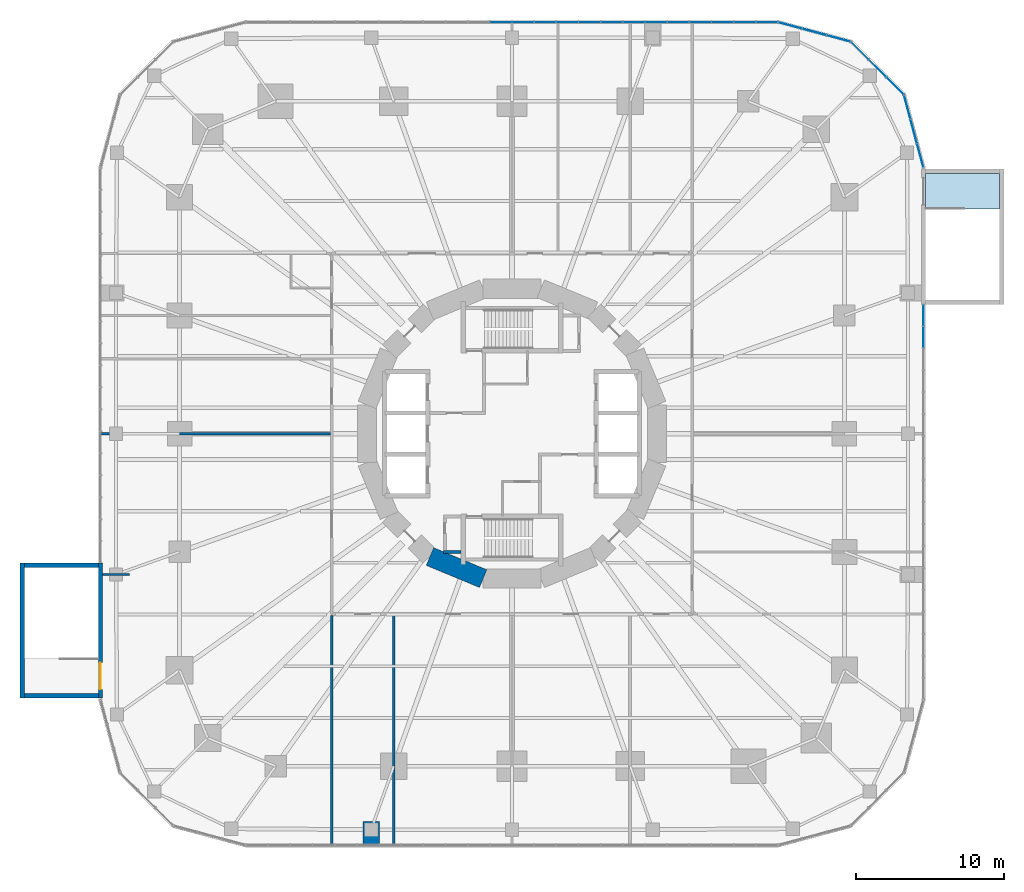
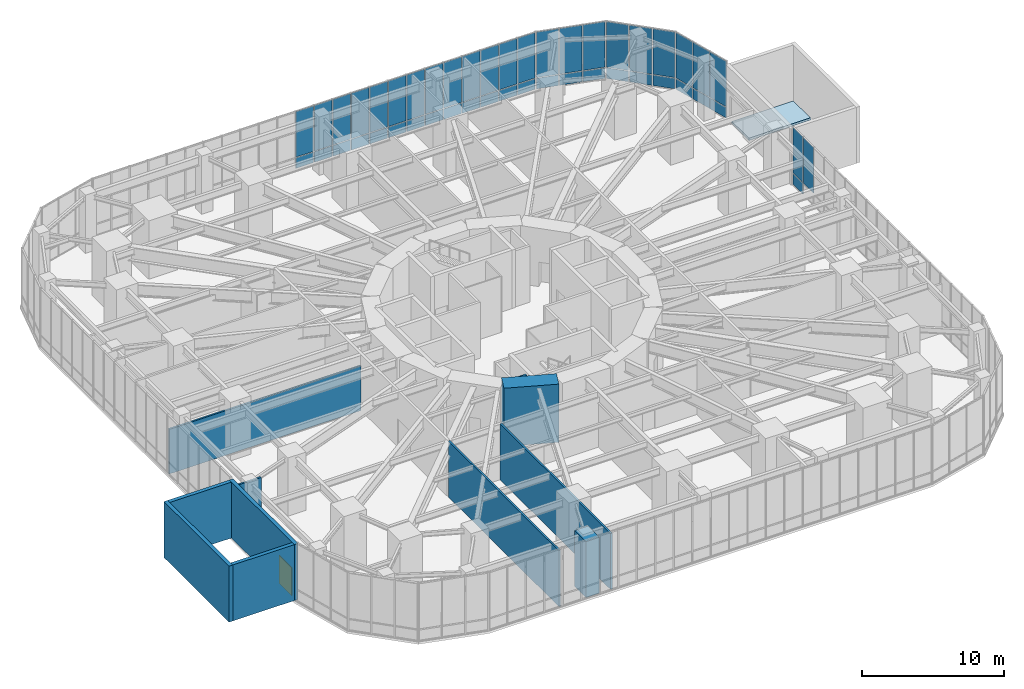
# One storey, part 20 of 24: 47 plates, 11 walls, 1 door, 1 slab, 1 opening, 5 elements without a shape of their own.
"""IFC4 building model written with IfcOpenShell, lengths in metres."""

from ifc_helpers import new_model, si_unit, direction, frame, frame_2d, origin, origin_2d, place, context, subcontext, project, spatial, polyline, rectangle, outline, extrude, material, layer, layer_set, type_object, element, fill, aggregate, save


model = new_model("IFC4")

# Units and contexts
model_context = context("Model", 3, precision=1e-05, world=origin(), true_north=direction((0.0, 1.0)))
body_context = subcontext(model_context, "Body", "Model", "MODEL_VIEW")
ifc_project = project(units=[si_unit("LENGTHUNIT", "METRE"), si_unit("AREAUNIT", "SQUARE_METRE"), si_unit("VOLUMEUNIT", "CUBIC_METRE"), si_unit("PLANEANGLEUNIT", "RADIAN"), si_unit("MASSUNIT", "GRAM", prefix="KILO")], contexts=[model_context])

# Site, building, storey
site_placement = place(None, origin())
site = spatial("IfcSite", under=ifc_project, at=site_placement, CompositionType="ELEMENT")
building_placement = place(site_placement, origin())
building = spatial("IfcBuilding", under=site, at=building_placement, Name="Nakasero Lantern House", CompositionType="ELEMENT")
storey_placement = place(building_placement, frame((0.0, 0.0, 11.0)))
storey = spatial("IfcBuildingStorey", under=building, at=storey_placement, Name="L02", CompositionType="ELEMENT", Elevation=11.0)

# Curtain wall, plates
ifc_material_1 = material(Name="Aluminium 6063-T6 and glass", Category="aluminium")
curtain_wall_type = type_object("IfcCurtainWallType", Name="Podium curtain wall CW-2", PredefinedType="USERDEFINED", material=ifc_material_1)
curtain_wall_1_placement = place(storey_placement, origin())
curtain_wall_1 = element("IfcCurtainWall", 1, at=curtain_wall_1_placement, inside=storey, type_object=curtain_wall_type, Name="Curtain wall CW-2 L02", ObjectType="STICK CURTAIN WALL", PredefinedType="USERDEFINED")
ifc_material_2 = material(Name="Glass", Category="glass")
ifc_layer_1 = layer(ifc_material_2, 0.028076171875)
ifc_layer_set_1 = layer_set([ifc_layer_1], Name="Glazed panel CW-2")
plate_type = type_object("IfcPlateType", Name="Glazed panel CW-2", PredefinedType="CURTAIN_PANEL", material=ifc_layer_set_1)
plate_1_placement = place(storey_placement, frame((27.85009765625, 6.520751953125, 1.0302734375), z_axis=(0.0, 0.0, 1.0), x_axis=(0.0, 1.0, 0.0)))
plate_1 = element("IfcPlate", 2, at=plate_1_placement, type_object=plate_type, Name="CW-2 panel 17.2", PredefinedType="CURTAIN_PANEL", context=body_context, shape_type="SweptSolid", body=[
    extrude(rectangle(XDim=1.426025390625, YDim=0.028076171875, at=origin_2d()), origin(), (0.0, 0.0, 1.0), 3.909912109375),
])
plate_2_placement = place(storey_placement, frame((27.85009765625, 7.991943359375, 0.06005859375), z_axis=(0.0, 0.0, 1.0), x_axis=(0.0, 1.0, 0.0)))
plate_2 = element("IfcPlate", 3, at=plate_2_placement, type_object=plate_type, Name="CW-2 panel 18.1", PredefinedType="CURTAIN_PANEL", context=body_context, shape_type="SweptSolid", body=[
    extrude(rectangle(XDim=1.39599609375, YDim=0.028076171875, at=origin_2d()), origin(), (0.0, 0.0, 1.0), 0.909912109375),
])
plate_3_placement = place(storey_placement, frame((27.85009765625, 7.991943359375, 1.0302734375), z_axis=(0.0, 0.0, 1.0), x_axis=(0.0, 1.0, 0.0)))
plate_3 = element("IfcPlate", 4, at=plate_3_placement, type_object=plate_type, Name="CW-2 panel 18.2", PredefinedType="CURTAIN_PANEL", context=body_context, shape_type="SweptSolid", body=[
    extrude(rectangle(XDim=1.39599609375, YDim=0.028076171875, at=origin_2d()), origin(), (0.0, 0.0, 1.0), 3.909912109375),
])
aggregate(curtain_wall_1, [plate_1, plate_2, plate_3])

curtain_wall_2_placement = place(storey_placement, origin())
curtain_wall_2 = element("IfcCurtainWall", 5, at=curtain_wall_2_placement, inside=storey, type_object=curtain_wall_type, Name="Curtain wall CW-2 L02", ObjectType="STICK CURTAIN WALL", PredefinedType="USERDEFINED")
plate_4_placement = place(storey_placement, frame((27.626220703125, 18.835205078125, 0.06005859375), z_axis=(0.0, 0.0, 1.0), x_axis=(-0.258819045153, 0.965925826276, 0.0)))
plate_4 = element("IfcPlate", 6, at=plate_4_placement, type_object=plate_type, Name="CW-2 panel 1.1", PredefinedType="CURTAIN_PANEL", context=body_context, shape_type="SweptSolid", body=[
    extrude(rectangle(XDim=1.609619140625, YDim=0.028076171875, at=origin_2d()), origin(), (0.0, 0.0, 1.0), 0.909912109375),
])
plate_5_placement = place(storey_placement, frame((27.626220703125, 18.835205078125, 1.0302734375), z_axis=(0.0, 0.0, 1.0), x_axis=(-0.258819045153, 0.965925826276, 0.0)))
plate_5 = element("IfcPlate", 7, at=plate_5_placement, type_object=plate_type, Name="CW-2 panel 1.2", PredefinedType="CURTAIN_PANEL", context=body_context, shape_type="SweptSolid", body=[
    extrude(rectangle(XDim=1.609619140625, YDim=0.028076171875, at=origin_2d()), origin(), (0.0, 0.0, 1.0), 3.909912109375),
])
plate_6_placement = place(storey_placement, frame((27.190185546875, 20.46240234375, 0.06005859375), z_axis=(0.0, 0.0, 1.0), x_axis=(-0.258819045153, 0.965925826276, 0.0)))
plate_6 = element("IfcPlate", 8, at=plate_6_placement, type_object=plate_type, Name="CW-2 panel 2.1", PredefinedType="CURTAIN_PANEL", context=body_context, shape_type="SweptSolid", body=[
    extrude(rectangle(XDim=1.6396484375, YDim=0.028076171875, at=origin_2d()), origin(), (0.0, 0.0, 1.0), 0.909912109375),
])
plate_7_placement = place(storey_placement, frame((27.190185546875, 20.46240234375, 1.0302734375), z_axis=(0.0, 0.0, 1.0), x_axis=(-0.258819045153, 0.965925826276, 0.0)))
plate_7 = element("IfcPlate", 9, at=plate_7_placement, type_object=plate_type, Name="CW-2 panel 2.2", PredefinedType="CURTAIN_PANEL", context=body_context, shape_type="SweptSolid", body=[
    extrude(rectangle(XDim=1.6396484375, YDim=0.028076171875, at=origin_2d()), origin(), (0.0, 0.0, 1.0), 3.909912109375),
])
plate_8_placement = place(storey_placement, frame((26.754150390625, 22.089599609375, 0.06005859375), z_axis=(0.0, 0.0, 1.0), x_axis=(-0.258819045153, 0.965925826276, 0.0)))
plate_8 = element("IfcPlate", 10, at=plate_8_placement, type_object=plate_type, Name="CW-2 panel 3.1", PredefinedType="CURTAIN_PANEL", context=body_context, shape_type="SweptSolid", body=[
    extrude(rectangle(XDim=1.609619140625, YDim=0.028076171875, at=origin_2d()), origin(), (0.0, 0.0, 1.0), 0.909912109375),
])
plate_9_placement = place(storey_placement, frame((26.754150390625, 22.089599609375, 1.0302734375), z_axis=(0.0, 0.0, 1.0), x_axis=(-0.258819045153, 0.965925826276, 0.0)))
plate_9 = element("IfcPlate", 11, at=plate_9_placement, type_object=plate_type, Name="CW-2 panel 3.2", PredefinedType="CURTAIN_PANEL", context=body_context, shape_type="SweptSolid", body=[
    extrude(rectangle(XDim=1.609619140625, YDim=0.028076171875, at=origin_2d()), origin(), (0.0, 0.0, 1.0), 3.909912109375),
])
aggregate(curtain_wall_2, [plate_4, plate_5, plate_6, plate_7, plate_8, plate_9])

curtain_wall_3_placement = place(storey_placement, origin())
curtain_wall_3 = element("IfcCurtainWall", 12, at=curtain_wall_3_placement, inside=storey, type_object=curtain_wall_type, Name="Curtain wall CW-2 L02", ObjectType="STICK CURTAIN WALL", PredefinedType="USERDEFINED")
plate_10_placement = place(storey_placement, frame((25.9189453125, 23.536376953125, 0.06005859375), z_axis=(0.0, 0.0, 1.0), x_axis=(-0.707106781187, 0.707106781187, 0.0)))
plate_10 = element("IfcPlate", 13, at=plate_10_placement, type_object=plate_type, Name="CW-2 panel 1.1", PredefinedType="CURTAIN_PANEL", context=body_context, shape_type="SweptSolid", body=[
    extrude(rectangle(XDim=1.609619140625, YDim=0.028076171875, at=origin_2d()), origin(), (0.0, 0.0, 1.0), 0.909912109375),
])
plate_11_placement = place(storey_placement, frame((25.9189453125, 23.536376953125, 1.0302734375), z_axis=(0.0, 0.0, 1.0), x_axis=(-0.707106781187, 0.707106781187, 0.0)))
plate_11 = element("IfcPlate", 14, at=plate_11_placement, type_object=plate_type, Name="CW-2 panel 1.2", PredefinedType="CURTAIN_PANEL", context=body_context, shape_type="SweptSolid", body=[
    extrude(rectangle(XDim=1.609619140625, YDim=0.028076171875, at=origin_2d()), origin(), (0.0, 0.0, 1.0), 3.909912109375),
])
plate_12_placement = place(storey_placement, frame((24.727783203125, 24.727783203125, 0.06005859375), z_axis=(0.0, 0.0, 1.0), x_axis=(-0.707106781187, 0.707106781187, 0.0)))
plate_12 = element("IfcPlate", 15, at=plate_12_placement, type_object=plate_type, Name="CW-2 panel 2.1", PredefinedType="CURTAIN_PANEL", context=body_context, shape_type="SweptSolid", body=[
    extrude(rectangle(XDim=1.6396484375, YDim=0.028076171875, at=origin_2d()), origin(), (0.0, 0.0, 1.0), 0.909912109375),
])
plate_13_placement = place(storey_placement, frame((24.727783203125, 24.727783203125, 1.0302734375), z_axis=(0.0, 0.0, 1.0), x_axis=(-0.707106781187, 0.707106781187, 0.0)))
plate_13 = element("IfcPlate", 16, at=plate_13_placement, type_object=plate_type, Name="CW-2 panel 2.2", PredefinedType="CURTAIN_PANEL", context=body_context, shape_type="SweptSolid", body=[
    extrude(rectangle(XDim=1.6396484375, YDim=0.028076171875, at=origin_2d()), origin(), (0.0, 0.0, 1.0), 3.909912109375),
])
plate_14_placement = place(storey_placement, frame((23.536376953125, 25.9189453125, 0.06005859375), z_axis=(0.0, 0.0, 1.0), x_axis=(-0.707106781187, 0.707106781187, 0.0)))
plate_14 = element("IfcPlate", 17, at=plate_14_placement, type_object=plate_type, Name="CW-2 panel 3.1", PredefinedType="CURTAIN_PANEL", context=body_context, shape_type="SweptSolid", body=[
    extrude(rectangle(XDim=1.609619140625, YDim=0.028076171875, at=origin_2d()), origin(), (0.0, 0.0, 1.0), 0.909912109375),
])
plate_15_placement = place(storey_placement, frame((23.536376953125, 25.9189453125, 1.0302734375), z_axis=(0.0, 0.0, 1.0), x_axis=(-0.707106781187, 0.707106781187, 0.0)))
plate_15 = element("IfcPlate", 18, at=plate_15_placement, type_object=plate_type, Name="CW-2 panel 3.2", PredefinedType="CURTAIN_PANEL", context=body_context, shape_type="SweptSolid", body=[
    extrude(rectangle(XDim=1.609619140625, YDim=0.028076171875, at=origin_2d()), origin(), (0.0, 0.0, 1.0), 3.909912109375),
])
aggregate(curtain_wall_3, [plate_10, plate_11, plate_12, plate_13, plate_14, plate_15])

curtain_wall_4_placement = place(storey_placement, origin())
curtain_wall_4 = element("IfcCurtainWall", 19, at=curtain_wall_4_placement, inside=storey, type_object=curtain_wall_type, Name="Curtain wall CW-2 L02", ObjectType="STICK CURTAIN WALL", PredefinedType="USERDEFINED")
plate_16_placement = place(storey_placement, frame((22.089599609375, 26.754150390625, 0.06005859375), z_axis=(0.0, 0.0, 1.0), x_axis=(-0.965925826276, 0.258819045153, 0.0)))
plate_16 = element("IfcPlate", 20, at=plate_16_placement, type_object=plate_type, Name="CW-2 panel 1.1", PredefinedType="CURTAIN_PANEL", context=body_context, shape_type="SweptSolid", body=[
    extrude(rectangle(XDim=1.609619140625, YDim=0.028076171875, at=origin_2d()), origin(), (0.0, 0.0, 1.0), 0.909912109375),
])
plate_17_placement = place(storey_placement, frame((22.089599609375, 26.754150390625, 1.0302734375), z_axis=(0.0, 0.0, 1.0), x_axis=(-0.965925826276, 0.258819045153, 0.0)))
plate_17 = element("IfcPlate", 21, at=plate_17_placement, type_object=plate_type, Name="CW-2 panel 1.2", PredefinedType="CURTAIN_PANEL", context=body_context, shape_type="SweptSolid", body=[
    extrude(rectangle(XDim=1.609619140625, YDim=0.028076171875, at=origin_2d()), origin(), (0.0, 0.0, 1.0), 3.909912109375),
])
plate_18_placement = place(storey_placement, frame((20.46240234375, 27.190185546875, 0.06005859375), z_axis=(0.0, 0.0, 1.0), x_axis=(-0.965925826276, 0.258819045153, 0.0)))
plate_18 = element("IfcPlate", 22, at=plate_18_placement, type_object=plate_type, Name="CW-2 panel 2.1", PredefinedType="CURTAIN_PANEL", context=body_context, shape_type="SweptSolid", body=[
    extrude(rectangle(XDim=1.6396484375, YDim=0.028076171875, at=origin_2d()), origin(), (0.0, 0.0, 1.0), 0.909912109375),
])
plate_19_placement = place(storey_placement, frame((20.46240234375, 27.190185546875, 1.0302734375), z_axis=(0.0, 0.0, 1.0), x_axis=(-0.965925826276, 0.258819045153, 0.0)))
plate_19 = element("IfcPlate", 23, at=plate_19_placement, type_object=plate_type, Name="CW-2 panel 2.2", PredefinedType="CURTAIN_PANEL", context=body_context, shape_type="SweptSolid", body=[
    extrude(rectangle(XDim=1.6396484375, YDim=0.028076171875, at=origin_2d()), origin(), (0.0, 0.0, 1.0), 3.909912109375),
])
plate_20_placement = place(storey_placement, frame((18.835205078125, 27.626220703125, 0.06005859375), z_axis=(0.0, 0.0, 1.0), x_axis=(-0.965925826276, 0.258819045153, 0.0)))
plate_20 = element("IfcPlate", 24, at=plate_20_placement, type_object=plate_type, Name="CW-2 panel 3.1", PredefinedType="CURTAIN_PANEL", context=body_context, shape_type="SweptSolid", body=[
    extrude(rectangle(XDim=1.609619140625, YDim=0.028076171875, at=origin_2d()), origin(), (0.0, 0.0, 1.0), 0.909912109375),
])
plate_21_placement = place(storey_placement, frame((18.835205078125, 27.626220703125, 1.0302734375), z_axis=(0.0, 0.0, 1.0), x_axis=(-0.965925826276, 0.258819045153, 0.0)))
plate_21 = element("IfcPlate", 25, at=plate_21_placement, type_object=plate_type, Name="CW-2 panel 3.2", PredefinedType="CURTAIN_PANEL", context=body_context, shape_type="SweptSolid", body=[
    extrude(rectangle(XDim=1.609619140625, YDim=0.028076171875, at=origin_2d()), origin(), (0.0, 0.0, 1.0), 3.909912109375),
])
aggregate(curtain_wall_4, [plate_16, plate_17, plate_18, plate_19, plate_20, plate_21])

curtain_wall_5_placement = place(storey_placement, origin())
curtain_wall_5 = element("IfcCurtainWall", 26, at=curtain_wall_5_placement, inside=storey, type_object=curtain_wall_type, Name="Curtain wall CW-2 L02", ObjectType="STICK CURTAIN WALL", PredefinedType="USERDEFINED")
plate_22_placement = place(storey_placement, frame((17.235107421875, 27.85009765625, 0.06005859375), z_axis=(0.0, 0.0, 1.0), x_axis=(-1.0, 0.0, 0.0)))
plate_22 = element("IfcPlate", 27, at=plate_22_placement, type_object=plate_type, Name="CW-2 panel 1.1", PredefinedType="CURTAIN_PANEL", context=body_context, shape_type="SweptSolid", body=[
    extrude(rectangle(XDim=1.409912109375, YDim=0.028076171875, at=origin_2d()), origin(), (0.0, 0.0, 1.0), 0.909912109375),
])
plate_23_placement = place(storey_placement, frame((17.235107421875, 27.85009765625, 1.0302734375), z_axis=(0.0, 0.0, 1.0), x_axis=(-1.0, 0.0, 0.0)))
plate_23 = element("IfcPlate", 28, at=plate_23_placement, type_object=plate_type, Name="CW-2 panel 1.2", PredefinedType="CURTAIN_PANEL", context=body_context, shape_type="SweptSolid", body=[
    extrude(rectangle(XDim=1.409912109375, YDim=0.028076171875, at=origin_2d()), origin(), (0.0, 0.0, 1.0), 3.909912109375),
])
plate_24_placement = place(storey_placement, frame((15.75, 27.85009765625, 0.06005859375), z_axis=(0.0, 0.0, 1.0), x_axis=(-1.0, 0.0, 0.0)))
plate_24 = element("IfcPlate", 29, at=plate_24_placement, type_object=plate_type, Name="CW-2 panel 2.1", PredefinedType="CURTAIN_PANEL", context=body_context, shape_type="SweptSolid", body=[
    extrude(rectangle(XDim=1.43994140625, YDim=0.028076171875, at=origin_2d()), origin(), (0.0, 0.0, 1.0), 0.909912109375),
])
plate_25_placement = place(storey_placement, frame((15.75, 27.85009765625, 1.0302734375), z_axis=(0.0, 0.0, 1.0), x_axis=(-1.0, 0.0, 0.0)))
plate_25 = element("IfcPlate", 30, at=plate_25_placement, type_object=plate_type, Name="CW-2 panel 2.2", PredefinedType="CURTAIN_PANEL", context=body_context, shape_type="SweptSolid", body=[
    extrude(rectangle(XDim=1.43994140625, YDim=0.028076171875, at=origin_2d()), origin(), (0.0, 0.0, 1.0), 3.909912109375),
])
plate_26_placement = place(storey_placement, frame((14.25, 27.85009765625, 0.06005859375), z_axis=(0.0, 0.0, 1.0), x_axis=(-1.0, 0.0, 0.0)))
plate_26 = element("IfcPlate", 31, at=plate_26_placement, type_object=plate_type, Name="CW-2 panel 3.1", PredefinedType="CURTAIN_PANEL", context=body_context, shape_type="SweptSolid", body=[
    extrude(rectangle(XDim=1.43994140625, YDim=0.028076171875, at=origin_2d()), origin(), (0.0, 0.0, 1.0), 0.909912109375),
])
plate_27_placement = place(storey_placement, frame((14.25, 27.85009765625, 1.0302734375), z_axis=(0.0, 0.0, 1.0), x_axis=(-1.0, 0.0, 0.0)))
plate_27 = element("IfcPlate", 32, at=plate_27_placement, type_object=plate_type, Name="CW-2 panel 3.2", PredefinedType="CURTAIN_PANEL", context=body_context, shape_type="SweptSolid", body=[
    extrude(rectangle(XDim=1.43994140625, YDim=0.028076171875, at=origin_2d()), origin(), (0.0, 0.0, 1.0), 3.909912109375),
])
plate_28_placement = place(storey_placement, frame((12.75, 27.85009765625, 0.06005859375), z_axis=(0.0, 0.0, 1.0), x_axis=(-1.0, 0.0, 0.0)))
plate_28 = element("IfcPlate", 33, at=plate_28_placement, type_object=plate_type, Name="CW-2 panel 4.1", PredefinedType="CURTAIN_PANEL", context=body_context, shape_type="SweptSolid", body=[
    extrude(rectangle(XDim=1.43994140625, YDim=0.028076171875, at=origin_2d()), origin(), (0.0, 0.0, 1.0), 0.909912109375),
])
plate_29_placement = place(storey_placement, frame((12.75, 27.85009765625, 1.0302734375), z_axis=(0.0, 0.0, 1.0), x_axis=(-1.0, 0.0, 0.0)))
plate_29 = element("IfcPlate", 34, at=plate_29_placement, type_object=plate_type, Name="CW-2 panel 4.2", PredefinedType="CURTAIN_PANEL", context=body_context, shape_type="SweptSolid", body=[
    extrude(rectangle(XDim=1.43994140625, YDim=0.028076171875, at=origin_2d()), origin(), (0.0, 0.0, 1.0), 3.909912109375),
])
plate_30_placement = place(storey_placement, frame((11.25, 27.85009765625, 0.06005859375), z_axis=(0.0, 0.0, 1.0), x_axis=(-1.0, 0.0, 0.0)))
plate_30 = element("IfcPlate", 35, at=plate_30_placement, type_object=plate_type, Name="CW-2 panel 5.1", PredefinedType="CURTAIN_PANEL", context=body_context, shape_type="SweptSolid", body=[
    extrude(rectangle(XDim=1.43994140625, YDim=0.028076171875, at=origin_2d()), origin(), (0.0, 0.0, 1.0), 0.909912109375),
])
plate_31_placement = place(storey_placement, frame((11.25, 27.85009765625, 1.0302734375), z_axis=(0.0, 0.0, 1.0), x_axis=(-1.0, 0.0, 0.0)))
plate_31 = element("IfcPlate", 36, at=plate_31_placement, type_object=plate_type, Name="CW-2 panel 5.2", PredefinedType="CURTAIN_PANEL", context=body_context, shape_type="SweptSolid", body=[
    extrude(rectangle(XDim=1.43994140625, YDim=0.028076171875, at=origin_2d()), origin(), (0.0, 0.0, 1.0), 3.909912109375),
])
plate_32_placement = place(storey_placement, frame((9.75, 27.85009765625, 0.06005859375), z_axis=(0.0, 0.0, 1.0), x_axis=(-1.0, 0.0, 0.0)))
plate_32 = element("IfcPlate", 37, at=plate_32_placement, type_object=plate_type, Name="CW-2 panel 6.1", PredefinedType="CURTAIN_PANEL", context=body_context, shape_type="SweptSolid", body=[
    extrude(rectangle(XDim=1.43994140625, YDim=0.028076171875, at=origin_2d()), origin(), (0.0, 0.0, 1.0), 0.909912109375),
])
plate_33_placement = place(storey_placement, frame((9.75, 27.85009765625, 1.0302734375), z_axis=(0.0, 0.0, 1.0), x_axis=(-1.0, 0.0, 0.0)))
plate_33 = element("IfcPlate", 38, at=plate_33_placement, type_object=plate_type, Name="CW-2 panel 6.2", PredefinedType="CURTAIN_PANEL", context=body_context, shape_type="SweptSolid", body=[
    extrude(rectangle(XDim=1.43994140625, YDim=0.028076171875, at=origin_2d()), origin(), (0.0, 0.0, 1.0), 3.909912109375),
])
plate_34_placement = place(storey_placement, frame((8.25, 27.85009765625, 0.06005859375), z_axis=(0.0, 0.0, 1.0), x_axis=(-1.0, 0.0, 0.0)))
plate_34 = element("IfcPlate", 39, at=plate_34_placement, type_object=plate_type, Name="CW-2 panel 7.1", PredefinedType="CURTAIN_PANEL", context=body_context, shape_type="SweptSolid", body=[
    extrude(rectangle(XDim=1.43994140625, YDim=0.028076171875, at=origin_2d()), origin(), (0.0, 0.0, 1.0), 0.909912109375),
])
plate_35_placement = place(storey_placement, frame((8.25, 27.85009765625, 1.0302734375), z_axis=(0.0, 0.0, 1.0), x_axis=(-1.0, 0.0, 0.0)))
plate_35 = element("IfcPlate", 40, at=plate_35_placement, type_object=plate_type, Name="CW-2 panel 7.2", PredefinedType="CURTAIN_PANEL", context=body_context, shape_type="SweptSolid", body=[
    extrude(rectangle(XDim=1.43994140625, YDim=0.028076171875, at=origin_2d()), origin(), (0.0, 0.0, 1.0), 3.909912109375),
])
plate_36_placement = place(storey_placement, frame((6.75, 27.85009765625, 0.06005859375), z_axis=(0.0, 0.0, 1.0), x_axis=(-1.0, 0.0, 0.0)))
plate_36 = element("IfcPlate", 41, at=plate_36_placement, type_object=plate_type, Name="CW-2 panel 8.1", PredefinedType="CURTAIN_PANEL", context=body_context, shape_type="SweptSolid", body=[
    extrude(rectangle(XDim=1.43994140625, YDim=0.028076171875, at=origin_2d()), origin(), (0.0, 0.0, 1.0), 0.909912109375),
])
plate_37_placement = place(storey_placement, frame((6.75, 27.85009765625, 1.0302734375), z_axis=(0.0, 0.0, 1.0), x_axis=(-1.0, 0.0, 0.0)))
plate_37 = element("IfcPlate", 42, at=plate_37_placement, type_object=plate_type, Name="CW-2 panel 8.2", PredefinedType="CURTAIN_PANEL", context=body_context, shape_type="SweptSolid", body=[
    extrude(rectangle(XDim=1.43994140625, YDim=0.028076171875, at=origin_2d()), origin(), (0.0, 0.0, 1.0), 3.909912109375),
])
plate_38_placement = place(storey_placement, frame((5.25, 27.85009765625, 0.06005859375), z_axis=(0.0, 0.0, 1.0), x_axis=(-1.0, 0.0, 0.0)))
plate_38 = element("IfcPlate", 43, at=plate_38_placement, type_object=plate_type, Name="CW-2 panel 9.1", PredefinedType="CURTAIN_PANEL", context=body_context, shape_type="SweptSolid", body=[
    extrude(rectangle(XDim=1.43994140625, YDim=0.028076171875, at=origin_2d()), origin(), (0.0, 0.0, 1.0), 0.909912109375),
])
plate_39_placement = place(storey_placement, frame((5.25, 27.85009765625, 1.0302734375), z_axis=(0.0, 0.0, 1.0), x_axis=(-1.0, 0.0, 0.0)))
plate_39 = element("IfcPlate", 44, at=plate_39_placement, type_object=plate_type, Name="CW-2 panel 9.2", PredefinedType="CURTAIN_PANEL", context=body_context, shape_type="SweptSolid", body=[
    extrude(rectangle(XDim=1.43994140625, YDim=0.028076171875, at=origin_2d()), origin(), (0.0, 0.0, 1.0), 3.909912109375),
])
plate_40_placement = place(storey_placement, frame((3.75, 27.85009765625, 0.06005859375), z_axis=(0.0, 0.0, 1.0), x_axis=(-1.0, 0.0, 0.0)))
plate_40 = element("IfcPlate", 45, at=plate_40_placement, type_object=plate_type, Name="CW-2 panel 10.1", PredefinedType="CURTAIN_PANEL", context=body_context, shape_type="SweptSolid", body=[
    extrude(rectangle(XDim=1.43994140625, YDim=0.028076171875, at=origin_2d()), origin(), (0.0, 0.0, 1.0), 0.909912109375),
])
plate_41_placement = place(storey_placement, frame((3.75, 27.85009765625, 1.0302734375), z_axis=(0.0, 0.0, 1.0), x_axis=(-1.0, 0.0, 0.0)))
plate_41 = element("IfcPlate", 46, at=plate_41_placement, type_object=plate_type, Name="CW-2 panel 10.2", PredefinedType="CURTAIN_PANEL", context=body_context, shape_type="SweptSolid", body=[
    extrude(rectangle(XDim=1.43994140625, YDim=0.028076171875, at=origin_2d()), origin(), (0.0, 0.0, 1.0), 3.909912109375),
])
plate_42_placement = place(storey_placement, frame((2.25, 27.85009765625, 0.06005859375), z_axis=(0.0, 0.0, 1.0), x_axis=(-1.0, 0.0, 0.0)))
plate_42 = element("IfcPlate", 47, at=plate_42_placement, type_object=plate_type, Name="CW-2 panel 11.1", PredefinedType="CURTAIN_PANEL", context=body_context, shape_type="SweptSolid", body=[
    extrude(rectangle(XDim=1.43994140625, YDim=0.028076171875, at=origin_2d()), origin(), (0.0, 0.0, 1.0), 0.909912109375),
])
plate_43_placement = place(storey_placement, frame((2.25, 27.85009765625, 1.0302734375), z_axis=(0.0, 0.0, 1.0), x_axis=(-1.0, 0.0, 0.0)))
plate_43 = element("IfcPlate", 48, at=plate_43_placement, type_object=plate_type, Name="CW-2 panel 11.2", PredefinedType="CURTAIN_PANEL", context=body_context, shape_type="SweptSolid", body=[
    extrude(rectangle(XDim=1.43994140625, YDim=0.028076171875, at=origin_2d()), origin(), (0.0, 0.0, 1.0), 3.909912109375),
])
plate_44_placement = place(storey_placement, frame((0.75, 27.85009765625, 0.06005859375), z_axis=(0.0, 0.0, 1.0), x_axis=(-1.0, 0.0, 0.0)))
plate_44 = element("IfcPlate", 49, at=plate_44_placement, type_object=plate_type, Name="CW-2 panel 12.1", PredefinedType="CURTAIN_PANEL", context=body_context, shape_type="SweptSolid", body=[
    extrude(rectangle(XDim=1.43994140625, YDim=0.028076171875, at=origin_2d()), origin(), (0.0, 0.0, 1.0), 0.909912109375),
])
plate_45_placement = place(storey_placement, frame((0.75, 27.85009765625, 1.0302734375), z_axis=(0.0, 0.0, 1.0), x_axis=(-1.0, 0.0, 0.0)))
plate_45 = element("IfcPlate", 50, at=plate_45_placement, type_object=plate_type, Name="CW-2 panel 12.2", PredefinedType="CURTAIN_PANEL", context=body_context, shape_type="SweptSolid", body=[
    extrude(rectangle(XDim=1.43994140625, YDim=0.028076171875, at=origin_2d()), origin(), (0.0, 0.0, 1.0), 3.909912109375),
])
plate_46_placement = place(storey_placement, frame((-0.75, 27.85009765625, 0.06005859375), z_axis=(0.0, 0.0, 1.0), x_axis=(-1.0, 0.0, 0.0)))
plate_46 = element("IfcPlate", 51, at=plate_46_placement, type_object=plate_type, Name="CW-2 panel 13.1", PredefinedType="CURTAIN_PANEL", context=body_context, shape_type="SweptSolid", body=[
    extrude(rectangle(XDim=1.43994140625, YDim=0.028076171875, at=origin_2d()), origin(), (0.0, 0.0, 1.0), 0.909912109375),
])
plate_47_placement = place(storey_placement, frame((-0.75, 27.85009765625, 1.0302734375), z_axis=(0.0, 0.0, 1.0), x_axis=(-1.0, 0.0, 0.0)))
plate_47 = element("IfcPlate", 52, at=plate_47_placement, type_object=plate_type, Name="CW-2 panel 13.2", PredefinedType="CURTAIN_PANEL", context=body_context, shape_type="SweptSolid", body=[
    extrude(rectangle(XDim=1.43994140625, YDim=0.028076171875, at=origin_2d()), origin(), (0.0, 0.0, 1.0), 3.909912109375),
])
aggregate(curtain_wall_5, [plate_22, plate_23, plate_24, plate_25, plate_26, plate_27, plate_28, plate_29, plate_30, plate_31, plate_32, plate_33, plate_34, plate_35, plate_36, plate_37, plate_38, plate_39, plate_40, plate_41, plate_42, plate_43, plate_44, plate_45, plate_46, plate_47])

# Slab
ifc_material_3 = material(Name="Concrete C40/50", Category="concrete")
ifc_layer_2 = layer(ifc_material_3, 0.199951171875)
ifc_layer_set_2 = layer_set([ifc_layer_2], Name="Stair landing 200")
slab_type = type_object("IfcSlabType", Name="Stair landing 200", PredefinedType="LANDING", material=ifc_layer_set_2)
slab_placement = place(storey_placement, frame((0.0, 0.0, -0.199951171875)))
element("IfcSlab", 53, at=slab_placement, inside=storey, type_object=slab_type, Name="Top landing PS1", PredefinedType="LANDING", context=body_context, shape_type="SweptSolid", body=[
    extrude(outline(polyline([(28.0, 15.199951171875), (33.0, 15.199951171875), (33.0, 17.60009765625), (28.0, 17.60009765625), (28.0, 15.199951171875)])), origin(), (0.0, 0.0, 1.0), 0.199951171875),
])

# Walls
ifc_material_4 = material(Name="Blockwork", Category="masonry")
ifc_layer_3 = layer(ifc_material_4, 1.10009765625)
ifc_layer_set_3 = layer_set([ifc_layer_3], Name="Column pier 1100")
wall_type_1 = type_object("IfcWallType", Name="Column pier 1100", PredefinedType="PARTITIONING", material=ifc_layer_set_3)
wall_1_placement = place(storey_placement, frame((-9.52880859375, -26.25, 0.0), z_axis=(0.0, 0.0, 1.0), x_axis=(0.0, -1.0, 0.0)))
element("IfcWall", 54, at=wall_1_placement, inside=storey, type_object=wall_type_1, Name="Column pier L02 PN3-00-2", PredefinedType="PARTITIONING", context=body_context, shape_type="SweptSolid", body=[
    extrude(rectangle(XDim=1.60009765625, YDim=1.10009765625, at=frame_2d((0.800048828125, 0.0))), origin(), (0.0, 0.0, 1.0), 4.800048828125),
])
ifc_material_5 = material(Name="Concrete C50/60", Category="concrete")
ifc_layer_4 = layer(ifc_material_5, 1.300048828125)
ifc_layer_set_4 = layer_set([ifc_layer_4], Name="Core wall 1300")
wall_type_2 = type_object("IfcWallType", Name="Core wall 1300", PredefinedType="SHEAR", material=ifc_layer_set_4)
wall_2_placement = place(storey_placement, frame((-5.5556640625, -8.314697265625, 0.0), z_axis=(0.0, 0.0, 1.0), x_axis=(0.923876507187, -0.382690736062, 0.0)))
element("IfcWall", 55, at=wall_2_placement, inside=storey, type_object=wall_type_2, Name="Core wall L02 facet 11", PredefinedType="SHEAR", context=body_context, shape_type="SweptSolid", body=[
    extrude(rectangle(XDim=3.90185546875, YDim=1.300048828125, at=frame_2d((1.950927734375, 0.0))), origin(), (0.0, 0.0, 1.0), 5.0),
])
ifc_material_6 = material(Name="Blockwork", Category="masonry")
ifc_layer_5 = layer(ifc_material_6, 0.199951171875)
ifc_layer_set_5 = layer_set([ifc_layer_5], Name="Fire lobby wall 200")
wall_type_3 = type_object("IfcWallType", Name="Fire lobby wall 200", PredefinedType="PARTITIONING", material=ifc_layer_set_5)
wall_3_placement = place(storey_placement, frame((-3.449951171875, -8.0, 0.0), z_axis=(0.0, 0.0, 1.0), x_axis=(-1.0, 0.0, 0.0)))
element("IfcWall", 56, at=wall_3_placement, inside=storey, type_object=wall_type_3, Name="Fire lobby wall L02 W-RS2S", PredefinedType="PARTITIONING", context=body_context, shape_type="SweptSolid", body=[
    extrude(rectangle(XDim=1.199951171875, YDim=0.199951171875, at=frame_2d((0.60009765625, 0.0))), origin(), (0.0, 0.0, 1.0), 4.800048828125),
])
ifc_material_7 = material(Name="Blockwork", Category="masonry")
ifc_layer_6 = layer(ifc_material_7, 0.14990234375)
ifc_layer_set_6 = layer_set([ifc_layer_6], Name="Party wall 150")
wall_type_4 = type_object("IfcWallType", Name="Party wall 150", PredefinedType="PARTITIONING", material=ifc_layer_set_6)
wall_4_placement = place(storey_placement, frame((-12.300048828125, 0.0, 0.0), z_axis=(0.0, 0.0, 1.0), x_axis=(-1.0, 0.0, 0.0)))
element("IfcWall", 57, at=wall_4_placement, inside=storey, type_object=wall_type_4, Name="Party wall L02 PW2-03", PredefinedType="PARTITIONING", context=body_context, shape_type="SweptSolid", body=[
    extrude(rectangle(XDim=15.550048828125, YDim=0.14990234375, at=frame_2d((7.77490234375, 0.0))), origin(), (0.0, 0.0, 1.0), 3.82958984375),
])
wall_5_placement = place(storey_placement, frame((-25.89990234375, -9.52880859375, 0.0), z_axis=(0.0, 0.0, 1.0), x_axis=(-1.0, 0.0, 0.0)))
element("IfcWall", 58, at=wall_5_placement, inside=storey, type_object=wall_type_4, Name="Party wall L02 PN2-03-4", PredefinedType="PARTITIONING", context=body_context, shape_type="SweptSolid", body=[
    extrude(rectangle(XDim=1.800048828125, YDim=0.14990234375, at=frame_2d((0.89990234375, 0.0))), origin(), (0.0, 0.0, 1.0), 4.800048828125),
])
for number, where, z_axis, x_axis, name in (
    (59, (-12.199951171875, -12.300048828125, 0.0), (0.0, 0.0, 1.0), (0.0, -1.0, 0.0), "Party wall L02 PW3-00"),
    (60, (-8.0, -12.300048828125, 0.0), (0.0, 0.0, 1.0), (0.0, -1.0, 0.0), "Party wall L02 PW3-01"),
):
    element("IfcWall", number, at=place(storey_placement, frame(where, z_axis=z_axis, x_axis=x_axis)), inside=storey, type_object=wall_type_4, Name=name, PredefinedType="PARTITIONING", context=body_context, shape_type="SweptSolid", body=[
        extrude(rectangle(XDim=15.550048828125, YDim=0.14990234375, at=frame_2d((7.77490234375, 0.0))), origin(), (0.0, 0.0, 1.0), 4.800048828125),
    ])

# Wall, opening, door
ifc_material_8 = material(Name="Concrete C32/40", Category="concrete")
ifc_layer_7 = layer(ifc_material_8, 0.300048828125)
ifc_layer_set_7 = layer_set([ifc_layer_7], Name="Stair enclosure wall 300")
wall_type_5 = type_object("IfcWallType", Name="Stair enclosure wall 300", PredefinedType="SOLIDWALL", material=ifc_layer_set_7)
wall_6_placement = place(storey_placement, frame((-27.85009765625, -8.75, 0.0), z_axis=(0.0, 0.0, 1.0), x_axis=(0.0, -1.0, 0.0)))
wall_6 = element("IfcWall", 61, at=wall_6_placement, inside=storey, type_object=wall_type_5, Name="Stair enclosure wall PS2 L02", PredefinedType="SOLIDWALL", context=body_context, shape_type="SweptSolid", body=[
    extrude(rectangle(XDim=9.14990234375, YDim=0.300048828125, at=frame_2d((4.574951171875, 0.0))), origin(), (0.0, 0.0, 1.0), 4.800048828125),
])
opening_placement = place(wall_6_placement, frame((6.75, 0.0, 0.0)))
opening = element("IfcOpeningElement", 62, at=opening_placement, cuts=wall_6, Name="Opening DS1", PredefinedType="OPENING", context=body_context, shape_type="SweptSolid", body=[
    extrude(rectangle(XDim=1.800048828125, YDim=2.39990234375, at=frame_2d((0.89990234375, 1.199951171875))), frame((0.0, 0.169921875, 0.0), z_axis=(0.0, -1.0, 0.0), x_axis=(1.0, 0.0, 0.0)), (0.0, 0.0, 1.0), 0.340087890625),
])
ifc_material_9 = material(Name="Steel S355", Category="steel")
door_type = type_object("IfcDoorType", Name="Stair doors FD60S 1800", OperationType="DOUBLE_DOOR_SINGLE_SWING", PredefinedType="DOOR", material=ifc_material_9)
door_placement = place(opening_placement, origin())
door = element("IfcDoor", 63, at=door_placement, inside=storey, type_object=door_type, Name="Stair doors PS2 L02", OperationType="DOUBLE_DOOR_SINGLE_SWING", OverallHeight=2.39990234375, OverallWidth=1.800048828125, PredefinedType="DOOR", context=body_context, shape_type="SweptSolid", body=[
    extrude(rectangle(XDim=1.800048828125, YDim=2.39990234375, at=frame_2d((0.89990234375, 1.199951171875))), frame((0.0, 0.02490234375, 0.0), z_axis=(0.0, -1.0, 0.0), x_axis=(1.0, 0.0, 0.0)), (0.0, 0.0, 1.0), 0.050048828125),
])
fill(opening, door)

# Walls
ifc_material_10 = material(Name="Concrete C32/40", Category="concrete")
ifc_layer_8 = layer(ifc_material_10, 0.300048828125)
ifc_layer_set_8 = layer_set([ifc_layer_8], Name="Stair tower wall 300")
wall_type_6 = type_object("IfcWallType", Name="Stair tower wall 300", PredefinedType="SOLIDWALL", material=ifc_layer_set_8)
wall_7_placement = place(storey_placement, frame((-33.14990234375, -8.75, 0.0), z_axis=(0.0, 0.0, 1.0), x_axis=(0.0, -1.0, 0.0)))
element("IfcWall", 64, at=wall_7_placement, inside=storey, type_object=wall_type_6, Name="Escape stair tower wall PS2 L02 O", PredefinedType="SOLIDWALL", context=body_context, shape_type="SweptSolid", body=[
    extrude(rectangle(XDim=9.14990234375, YDim=0.300048828125, at=frame_2d((4.574951171875, 0.0))), origin(), (0.0, 0.0, 1.0), 4.800048828125),
])
for number, where, z_axis, x_axis, name in (
    (65, (-28.0, -8.89990234375, 0.0), (0.0, 0.0, 1.0), (-1.0, 0.0, 0.0), "Escape stair tower wall PS2 L02 S"),
    (66, (-28.0, -17.75, 0.0), (0.0, 0.0, 1.0), (-1.0, 0.0, 0.0), "Escape stair tower wall PS2 L02 N"),
):
    element("IfcWall", number, at=place(storey_placement, frame(where, z_axis=z_axis, x_axis=x_axis)), inside=storey, type_object=wall_type_6, Name=name, PredefinedType="SOLIDWALL", context=body_context, shape_type="SweptSolid", body=[
        extrude(rectangle(XDim=5.0, YDim=0.300048828125, at=frame_2d((2.5, 0.0))), origin(), (0.0, 0.0, 1.0), 4.800048828125),
    ])

save(model, "model.ifc")
